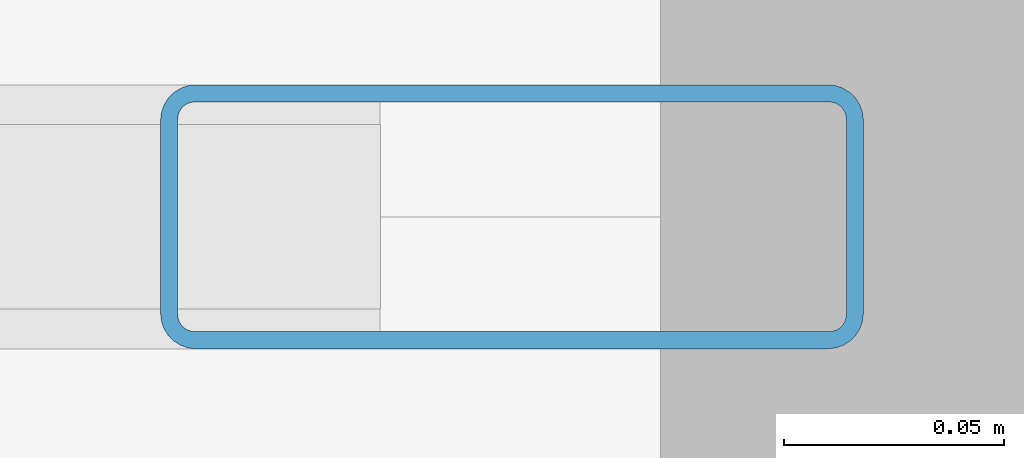
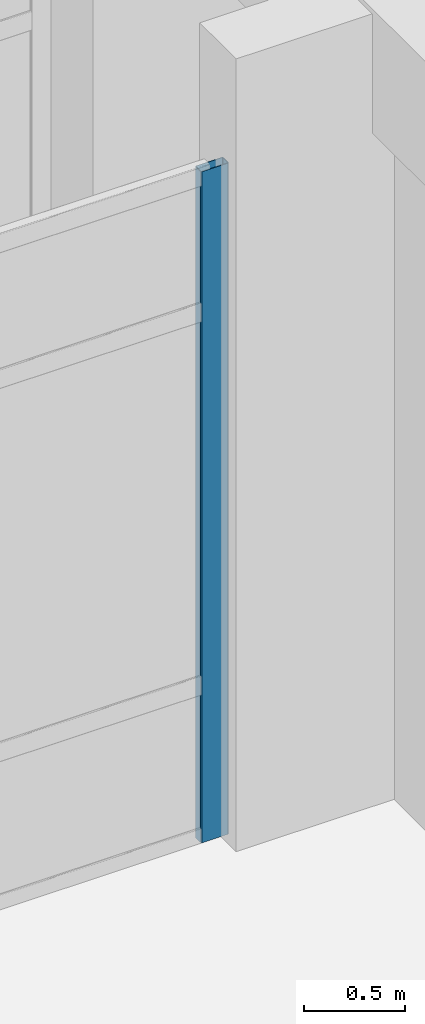
# One storey, part 62 of 120: 1 member, 1 element without a shape of its own.
"""IFC4 building model written with IfcOpenShell, lengths in metres."""

import ifcopenshell
import ifcopenshell.guid

model = None  # the IFC model being written
_history = None  # IfcOwnerHistory: only IFC2X3 demands one
_inside = {}  # id of a spatial element -> (the spatial element, [elements in it])
_under = {}  # id of a project, library or spatial element -> (it, [spatial elements below it])
_declared = {}  # id of a project -> (the project, [libraries it declares])
_typed = {}  # id of a type object -> (the type object, [elements of that type])
_made_of = {}  # id of a material, layer set ... -> (it, [elements and type objects made of it])


def new_model(schema):
    """Start an empty IFC model of exactly this schema.

    Asked for "IFC4X3", IfcOpenShell would pick the latest addendum, in which some entities
    have other attributes; the version numbers below select the first issue.
    IFC2X3 requires an IfcOwnerHistory on every rooted entity: one is made here for all.
    """
    global model, _history
    if schema == "IFC4X3":
        model = ifcopenshell.file(schema_version=(4, 3, 0, 0))
    else:
        model = ifcopenshell.file(schema=schema)
    _inside.clear()
    _under.clear()
    _declared.clear()
    _typed.clear()
    _made_of.clear()
    _history = None
    if model.schema == "IFC2X3":
        org = make("IfcOrganization", Name="unknown")
        user = make(
            "IfcPersonAndOrganization",
            ThePerson=make("IfcPerson", FamilyName="unknown"),
            TheOrganization=org,
        )
        app = make(
            "IfcApplication",
            ApplicationDeveloper=org,
            Version="unknown",
            ApplicationFullName="unknown",
            ApplicationIdentifier="unknown",
        )
        _history = make(
            "IfcOwnerHistory",
            OwningUser=user,
            OwningApplication=app,
            ChangeAction="ADDED",
            CreationDate=0,
        )
    return model


def make(cls, **values):
    """One entity of the class cls with the attributes given. An attribute that is None is left unset."""
    return model.create_entity(
        cls, **{name: value for name, value in values.items() if value is not None}
    )


def rooted(cls, **values):
    """An entity with a GlobalId (a new one), such as an element, a storey or a relation."""
    return make(cls, GlobalId=ifcopenshell.guid.new(), OwnerHistory=_history, **values)


def si_unit(unit_type, name, prefix=None):
    """IfcSIUnit, for example si_unit("LENGTHUNIT", "METRE", prefix="MILLI")."""
    return make("IfcSIUnit", UnitType=unit_type, Prefix=prefix, Name=name)


def derived_unit(unit_type, elements):
    """IfcDerivedUnit: a product of units, each with its exponent."""
    return make(
        "IfcDerivedUnit",
        Elements=[
            make("IfcDerivedUnitElement", Unit=unit, Exponent=power)
            for unit, power in elements
        ],
        UnitType=unit_type,
    )


def assignment(units):
    """IfcUnitAssignment: the units of a project."""
    return None if units is None else make("IfcUnitAssignment", Units=units)


def point(xyz):
    """IfcCartesianPoint."""
    return None if xyz is None else make("IfcCartesianPoint", Coordinates=xyz)


def direction(xyz):
    """IfcDirection."""
    return None if xyz is None else make("IfcDirection", DirectionRatios=xyz)


def frame(location, z_axis=None, x_axis=None):
    """IfcAxis2Placement3D, a coordinate frame: its origin and axes. An axis left out is left unset."""
    return make(
        "IfcAxis2Placement3D",
        Location=point(location),
        Axis=direction(z_axis),
        RefDirection=direction(x_axis),
    )


def frame_2d(location, x_axis=None):
    """IfcAxis2Placement2D, a coordinate frame in the plane: its origin and x axis."""
    return make(
        "IfcAxis2Placement2D", Location=point(location), RefDirection=direction(x_axis)
    )


def origin():
    """The frame at (0, 0, 0) with its axes left unset."""
    return frame((0.0, 0.0, 0.0))


def origin_2d():
    """The frame at (0, 0) in the plane with its x axis left unset."""
    return frame_2d((0.0, 0.0))


def place(relative_to, where):
    """IfcLocalPlacement: puts the frame where relative to a parent placement (None: the world)."""
    return make(
        "IfcLocalPlacement", PlacementRelTo=relative_to, RelativePlacement=where
    )


def context(
    kind, dimensions, precision=None, world=None, true_north=None, identifier=None
):
    """IfcGeometricRepresentationContext, for example the 3D "Model" context."""
    return make(
        "IfcGeometricRepresentationContext",
        ContextIdentifier=identifier,
        ContextType=kind,
        CoordinateSpaceDimension=dimensions,
        Precision=precision,
        WorldCoordinateSystem=world,
        TrueNorth=true_north,
    )


def subcontext(parent, identifier, kind, view, scale=None):
    """IfcGeometricRepresentationSubContext, for example "Body" below "Model"."""
    return make(
        "IfcGeometricRepresentationSubContext",
        ContextIdentifier=identifier,
        ContextType=kind,
        ParentContext=parent,
        TargetScale=scale,
        TargetView=view,
    )


def project(units=None, contexts=None):
    """IfcProject with its units and contexts."""
    return rooted(
        "IfcProject",
        Name="project",
        RepresentationContexts=contexts,
        UnitsInContext=assignment(units),
    )


def spatial(cls, under=None, at=None, **own):
    """A site, building, storey or space (cls), placed at a placement, below another one or the project."""
    s = rooted(cls, ObjectPlacement=at, **own)
    if under is not None:
        _under.setdefault(under.id(), (under, []))[1].append(s)
    return s


def profile(cls, at=None, kind="AREA", **sizes):
    """A parametric profile (cls). Its sizes go by their IFC names, for example OverallWidth=200.0."""
    return make(cls, ProfileType=kind, Position=at, **sizes)


def hollow_rectangle(**sizes):
    """IfcRectangleHollowProfileDef."""
    return profile("IfcRectangleHollowProfileDef", **sizes)


def extrude(swept, where, along, depth):
    """IfcExtrudedAreaSolid: the profile swept, set in the frame where, extruded along a direction by depth."""
    return make(
        "IfcExtrudedAreaSolid",
        SweptArea=swept,
        Position=where,
        ExtrudedDirection=direction(along),
        Depth=depth,
    )


def shape(context_of_items, identifier, shape_type, items):
    """IfcShapeRepresentation: the items that make up one representation, for example the "Body"."""
    return make(
        "IfcShapeRepresentation",
        ContextOfItems=context_of_items,
        RepresentationIdentifier=identifier,
        RepresentationType=shape_type,
        Items=items,
    )


def material(Name=None, Category=None):
    """IfcMaterial."""
    return make("IfcMaterial", Name=Name, Category=Category)


def layer(
    of_material, thickness, ventilated=None, Name=None, Category=None, Priority=None
):
    """IfcMaterialLayer: one layer of a wall or slab, of a material (None: an air gap)."""
    return make(
        "IfcMaterialLayer",
        Material=of_material,
        LayerThickness=thickness,
        IsVentilated=ventilated,
        Name=Name,
        Category=Category,
        Priority=Priority,
    )


def layer_set(layers, Name=None):
    """IfcMaterialLayerSet."""
    return make("IfcMaterialLayerSet", MaterialLayers=layers, LayerSetName=Name)


def material_profile(
    of_material, cross_section, Name=None, Category=None, Priority=None
):
    """IfcMaterialProfile: a cross section and its material."""
    return make(
        "IfcMaterialProfile",
        Name=Name,
        Material=of_material,
        Profile=cross_section,
        Priority=Priority,
        Category=Category,
    )


def profile_set(profiles, Name=None, composite=None):
    """IfcMaterialProfileSet."""
    return make(
        "IfcMaterialProfileSet",
        Name=Name,
        MaterialProfiles=profiles,
        CompositeProfile=composite,
    )


def made_of(thing, what):
    """Note that an element or type object is made of a material, layer set ...; save() writes the relation."""
    if what is not None:
        _made_of.setdefault(what.id(), (what, []))[1].append(thing)
    return thing


def type_object(cls, material=None, **own):
    """A type object (cls), such as IfcWallType, which elements share."""
    return made_of(rooted(cls, **own), material)


def element(
    cls,
    number,
    at=None,
    inside=None,
    cuts=None,
    type_object=None,
    material=None,
    context=None,
    identifier="Body",
    shape_type=None,
    held_by="IfcProductDefinitionShape",
    body=None,
    shapes=None,
    **own,
):
    """One element of the class cls, such as IfcWall. Its Tag is "e" and its number.

    at: its placement. inside: the storey or other place that contains it. cuts: it is an
    opening in that element (IfcRelVoidsElement). A single representation is given by context,
    identifier, shape_type and body (its items); several are given by shapes. held_by: the class
    of the entity that holds the representations. save() writes the other relations.
    """
    e = rooted(cls, Tag="e%d" % number, ObjectPlacement=at, **own)
    if body is not None:
        shapes = [shape(context, identifier, shape_type, body)]
    if shapes is not None:
        e.Representation = make(held_by, Representations=shapes)
    if inside is not None:
        _inside.setdefault(inside.id(), (inside, []))[1].append(e)
    if cuts is not None:
        rooted(
            "IfcRelVoidsElement", RelatingBuildingElement=cuts, RelatedOpeningElement=e
        )
    if type_object is not None:
        _typed.setdefault(type_object.id(), (type_object, []))[1].append(e)
    return made_of(e, material)


def aggregate(whole, parts):
    """IfcRelAggregates: a whole, such as a stair, and the parts it consists of."""
    return rooted("IfcRelAggregates", RelatingObject=whole, RelatedObjects=parts)


def save(model, path):
    """Write the relations noted so far, then the file.

    IfcRelAggregates (storeys below a building ...), IfcRelContainedInSpatialStructure (elements
    in a storey), IfcRelDefinesByType, IfcRelAssociatesMaterial and IfcRelDeclares: one each for
    every whole, place, type object, material and project.
    """
    for whole, parts in _under.values():
        aggregate(whole, parts)
    for where, things in _inside.values():
        rooted(
            "IfcRelContainedInSpatialStructure",
            RelatedElements=things,
            RelatingStructure=where,
        )
    for kind, things in _typed.values():
        rooted("IfcRelDefinesByType", RelatedObjects=things, RelatingType=kind)
    for what, things in _made_of.values():
        rooted("IfcRelAssociatesMaterial", RelatedObjects=things, RelatingMaterial=what)
    for by, libraries in _declared.values():
        rooted("IfcRelDeclares", RelatingContext=by, RelatedDefinitions=libraries)
    model.write(path)


model = new_model("IFC4")

# Units and contexts
model_context = context("Model", 3, precision=1e-05, world=origin(), true_north=direction((0.0, 1.0)))
body_context = subcontext(model_context, "Body", "Model", "MODEL_VIEW")
ifc_project = project(units=[si_unit("LENGTHUNIT", "METRE"), si_unit("AREAUNIT", "SQUARE_METRE"), si_unit("VOLUMEUNIT", "CUBIC_METRE"), si_unit("PLANEANGLEUNIT", "RADIAN"), si_unit("MASSUNIT", "GRAM", prefix="KILO"), derived_unit("THERMALTRANSMITTANCEUNIT", [(si_unit("MASSUNIT", "GRAM", prefix="KILO"), 1), (si_unit("TIMEUNIT", "SECOND"), -3), (si_unit("THERMODYNAMICTEMPERATUREUNIT", "KELVIN"), -1)])], contexts=[model_context])

# Site, building, storey
site_placement = place(None, origin())
site = spatial("IfcSite", under=ifc_project, at=site_placement, CompositionType="ELEMENT")
building_placement = place(site_placement, origin())
building = spatial("IfcBuilding", under=site, at=building_placement, Name="Qinzheling Arcade Emporium", CompositionType="ELEMENT")
storey_placement = place(building_placement, frame((0.0, 0.0, 11.39990234375)))
storey = spatial("IfcBuildingStorey", under=building, at=storey_placement, Name="L03", CompositionType="ELEMENT", Elevation=11.39990234375)

# Curtain wall, member
ifc_material_1 = material(Name="Anodised aluminium and solar-control double glazing", Category="aluminium")
ifc_layer = layer(ifc_material_1, 0.159912109375, Name="Anodised aluminium and solar-control double glazing", Category="aluminium")
ifc_layer_set = layer_set([ifc_layer], Name="Anodised aluminium and solar-control double glazing")
curtain_wall_type = type_object("IfcCurtainWallType", Name="Food Hall Loggia Curtain Wall", PredefinedType="NOTDEFINED", material=ifc_layer_set)
curtain_wall_placement = place(storey_placement, origin())
curtain_wall = element("IfcCurtainWall", 1, at=curtain_wall_placement, inside=storey, type_object=curtain_wall_type, Name="Curtain Wall CW-L03-205", PredefinedType="NOTDEFINED")
ifc_material_2 = material(Name="Anodised aluminium 6063-T6", Category="aluminium")
ifc_material_profile = material_profile(ifc_material_2, hollow_rectangle(XDim=0.06005859375, YDim=0.159912109375, WallThickness=0.00390625, InnerFilletRadius=0.00390625, OuterFilletRadius=0.008056640625, at=origin_2d()), Name="RHS 160x60x4", Category="aluminium")
ifc_profile_set = profile_set([ifc_material_profile], Name="Anodised aluminium 6063-T6")
member_type = type_object("IfcMemberType", Name="Curtain Wall Mullion RHS160x60", PredefinedType="MULLION", material=ifc_profile_set)
member_placement = place(storey_placement, frame((129.488037109375, 31.0, 0.0), z_axis=(0.0, 0.0, 1.0), x_axis=(0.0, 1.0, 0.0)))
member = element("IfcMember", 2, at=member_placement, type_object=member_type, Name="CW04 mullion 5", PredefinedType="MULLION", context=body_context, shape_type="SweptSolid", body=[
    extrude(hollow_rectangle(XDim=0.06005859375, YDim=0.159912109375, WallThickness=0.00390625, InnerFilletRadius=0.00390625, OuterFilletRadius=0.008056640625, at=origin_2d()), origin(), (0.0, 0.0, 1.0), 4.05517578125),
])
aggregate(curtain_wall, [member])

save(model, "model.ifc")
